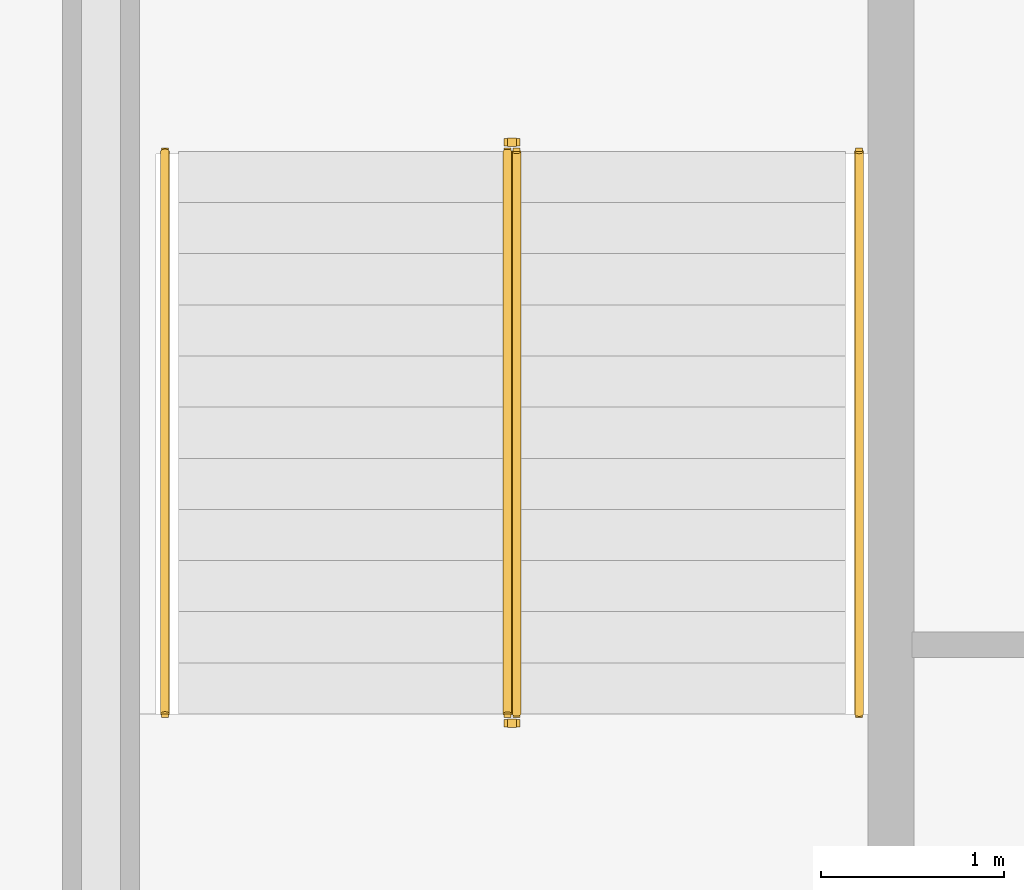
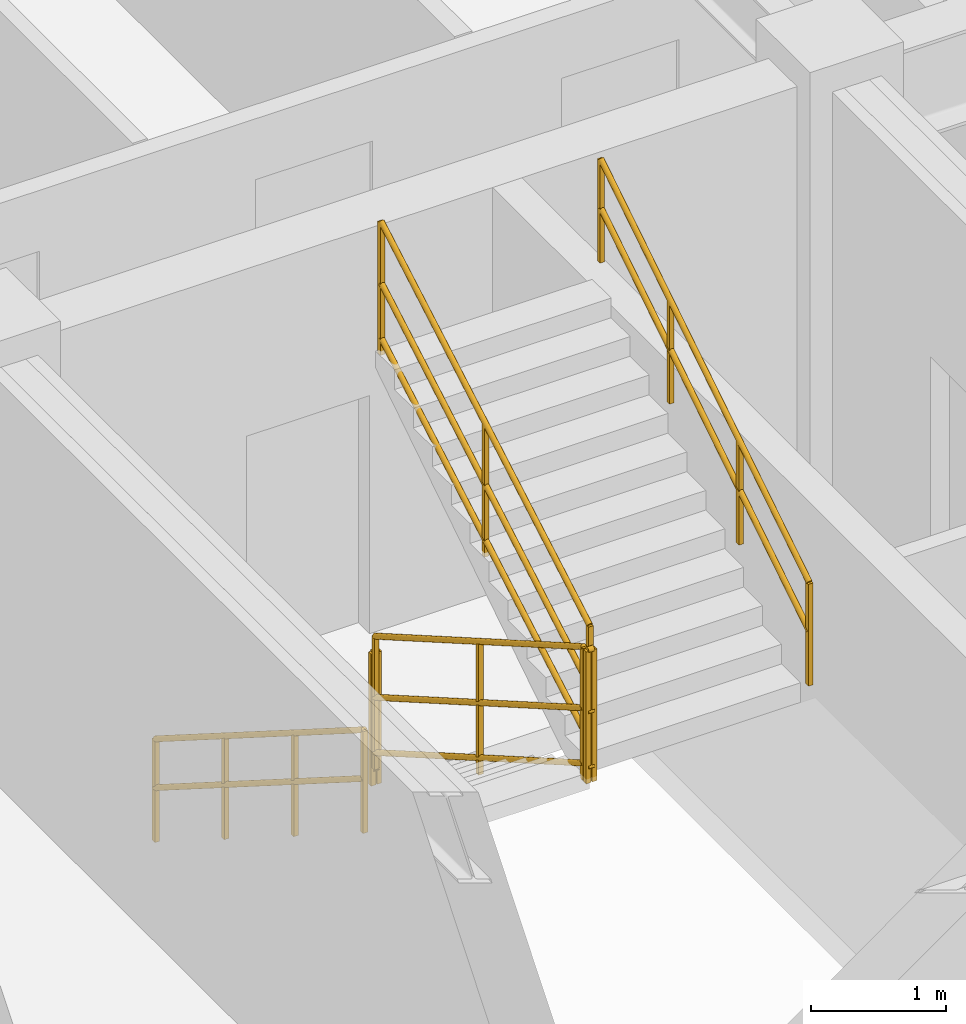
# One storey, part 10 of 10: 6 railings.
"""IFC4 building model written with IfcOpenShell, lengths in metres."""

from ifc_helpers import new_model, entity, si_unit, converted_unit, direction, frame, origin_with_axes, origin_2d_with_axis, place, context, subcontext, project, spatial, rectangle, circle, extrude, material, type_object, element, save


model = new_model("IFC4")

# Units and contexts
model_context = context("Model", 3, precision=1e-05, world=origin_with_axes(), true_north=direction((0.0, 1.0)))
body_context = subcontext(model_context, "Body", "Model", "MODEL_VIEW")
ifc_project = project(units=[si_unit("LENGTHUNIT", "METRE"), si_unit("AREAUNIT", "SQUARE_METRE"), si_unit("VOLUMEUNIT", "CUBIC_METRE"), converted_unit("PLANEANGLEUNIT", "DEGREE", entity("IfcPlaneAngleMeasure", 0.017453292519943295), si_unit("PLANEANGLEUNIT", "RADIAN"), dimensions=[0, 0, 0, 0, 0, 0, 0]), si_unit("MASSUNIT", "GRAM", prefix="KILO"), si_unit("THERMODYNAMICTEMPERATUREUNIT", "KELVIN")], contexts=[model_context])

# Site, building, storey
site_placement = place(None, origin_with_axes())
site = spatial("IfcSite", under=ifc_project, at=site_placement, CompositionType="ELEMENT")
building_placement = place(site_placement, origin_with_axes())
building = spatial("IfcBuilding", under=site, at=building_placement, Name="Varnlund Millrace Tower", CompositionType="ELEMENT")
storey_placement = place(building_placement, frame((0.0, 0.0, 272.4), z_axis=(0.0, 0.0, 1.0), x_axis=(1.0, 0.0, 0.0)))
storey = spatial("IfcBuildingStorey", under=building, at=storey_placement, Name="L67", CompositionType="ELEMENT", Elevation=272.4)

# Railings
ifc_material_1 = material(Name="Painted steel stair well balustrade guard", Category="steel")
railing_type_1 = type_object("IfcRailingType", Name="Type-StairGuard-1150", PredefinedType="GUARDRAIL", material=ifc_material_1)
railing_1_placement = place(storey_placement, frame((0.0, 0.0, -272.4), z_axis=(0.0, 0.0, 1.0), x_axis=(1.0, 0.0, 0.0)))
element("IfcRailing", 1, at=railing_1_placement, inside=storey, type_object=railing_type_1, Name="Type-StairGuard-1150", PredefinedType="GUARDRAIL", context=body_context, shape_type="SweptSolid", body=[
    extrude(circle(Radius=0.024, at=origin_2d_with_axis()), frame((13.625, 35.9, 273.727273), z_axis=(0.0, -0.866696, 0.498836), x_axis=(1.0, 0.0, 0.0)), (0.0, 0.0, 1.0), 3.553725),
    extrude(circle(Radius=0.024, at=origin_2d_with_axis()), frame((13.625, 35.9, 272.677273), z_axis=(0.0, -0.866696, 0.498836), x_axis=(1.0, 0.0, 0.0)), (0.0, 0.0, 1.0), 3.553725),
    extrude(circle(Radius=0.024, at=origin_2d_with_axis()), frame((13.625, 35.9, 273.175273), z_axis=(0.0, -0.866696, 0.498836), x_axis=(1.0, 0.0, 0.0)), (0.0, 0.0, 1.0), 3.553725),
    extrude(rectangle(XDim=0.04, YDim=0.04, at=origin_2d_with_axis()), frame((13.625, 35.9, 272.537273), z_axis=(0.0, 0.0, 1.0), x_axis=(1.0, 0.0, 0.0)), (0.0, 0.0, 1.0), 1.19),
    extrude(rectangle(XDim=0.04, YDim=0.04, at=origin_2d_with_axis()), frame((13.625, 34.36, 273.423636), z_axis=(0.0, 0.0, 1.0), x_axis=(1.0, 0.0, 0.0)), (0.0, 0.0, 1.0), 1.19),
    extrude(rectangle(XDim=0.04, YDim=0.04, at=origin_2d_with_axis()), frame((13.625, 32.82, 274.31), z_axis=(0.0, 0.0, 1.0), x_axis=(1.0, 0.0, 0.0)), (0.0, 0.0, 1.0), 1.19),
])
railing_2_placement = place(storey_placement, frame((0.0, 0.0, -272.4), z_axis=(0.0, 0.0, 1.0), x_axis=(1.0, 0.0, 0.0)))
element("IfcRailing", 2, at=railing_2_placement, inside=storey, type_object=railing_type_1, Name="Type-StairGuard-1150", PredefinedType="GUARDRAIL", context=body_context, shape_type="SweptSolid", body=[
    extrude(circle(Radius=0.024, at=origin_2d_with_axis()), frame((13.675, 32.77, 275.5), z_axis=(-1.0, 0.0, 0.0), x_axis=(0.0, -1.0, 0.0)), (0.0, 0.0, 1.0), 0.05),
    extrude(circle(Radius=0.024, at=origin_2d_with_axis()), frame((13.675, 32.77, 274.45), z_axis=(-1.0, 0.0, 0.0), x_axis=(0.0, -1.0, 0.0)), (0.0, 0.0, 1.0), 0.05),
    extrude(circle(Radius=0.024, at=origin_2d_with_axis()), frame((13.675, 32.77, 274.948), z_axis=(-1.0, 0.0, 0.0), x_axis=(0.0, -1.0, 0.0)), (0.0, 0.0, 1.0), 0.05),
    extrude(rectangle(XDim=0.04, YDim=0.04, at=origin_2d_with_axis()), frame((13.675, 32.77, 274.31), z_axis=(0.0, 0.0, 1.0), x_axis=(1.0, 0.0, 0.0)), (0.0, 0.0, 1.0), 1.19),
    extrude(rectangle(XDim=0.04, YDim=0.04, at=origin_2d_with_axis()), frame((13.625, 32.77, 274.31), z_axis=(0.0, 0.0, 1.0), x_axis=(1.0, 0.0, 0.0)), (0.0, 0.0, 1.0), 1.19),
])
railing_3_placement = place(storey_placement, frame((0.0, 0.0, -272.4), z_axis=(0.0, 0.0, 1.0), x_axis=(1.0, 0.0, 0.0)))
element("IfcRailing", 3, at=railing_3_placement, inside=storey, type_object=railing_type_1, Name="Type-StairGuard-1150", PredefinedType="GUARDRAIL", context=body_context, shape_type="SweptSolid", body=[
    extrude(circle(Radius=0.024, at=origin_2d_with_axis()), frame((13.675, 32.82, 275.677273), z_axis=(0.0, 0.866696, 0.498836), x_axis=(-1.0, 0.0, 0.0)), (0.0, 0.0, 1.0), 3.553725),
    extrude(circle(Radius=0.024, at=origin_2d_with_axis()), frame((13.675, 32.82, 274.627273), z_axis=(0.0, 0.866696, 0.498836), x_axis=(-1.0, 0.0, 0.0)), (0.0, 0.0, 1.0), 3.553725),
    extrude(circle(Radius=0.024, at=origin_2d_with_axis()), frame((13.675, 32.82, 275.125273), z_axis=(0.0, 0.866696, 0.498836), x_axis=(-1.0, 0.0, 0.0)), (0.0, 0.0, 1.0), 3.553725),
    extrude(rectangle(XDim=0.04, YDim=0.04, at=origin_2d_with_axis()), frame((13.675, 32.82, 274.487273), z_axis=(0.0, 0.0, 1.0), x_axis=(1.0, 0.0, 0.0)), (0.0, 0.0, 1.0), 1.19),
    extrude(rectangle(XDim=0.04, YDim=0.04, at=origin_2d_with_axis()), frame((13.675, 34.36, 275.373636), z_axis=(0.0, 0.0, 1.0), x_axis=(1.0, 0.0, 0.0)), (0.0, 0.0, 1.0), 1.19),
    extrude(rectangle(XDim=0.04, YDim=0.04, at=origin_2d_with_axis()), frame((13.675, 35.9, 276.26), z_axis=(0.0, 0.0, 1.0), x_axis=(1.0, 0.0, 0.0)), (0.0, 0.0, 1.0), 1.19),
])
railing_4_placement = place(storey_placement, frame((0.0, 0.0, -272.4), z_axis=(0.0, 0.0, 1.0), x_axis=(1.0, 0.0, 0.0)))
element("IfcRailing", 4, at=railing_4_placement, inside=storey, type_object=railing_type_1, Name="Type-StairGuard-1150", PredefinedType="GUARDRAIL", context=body_context, shape_type="SweptSolid", body=[
    extrude(circle(Radius=0.024, at=origin_2d_with_axis()), frame((13.675, 35.95, 273.55), z_axis=(-1.0, 0.0, 0.0), x_axis=(0.0, -1.0, 0.0)), (0.0, 0.0, 1.0), 0.05),
    extrude(circle(Radius=0.024, at=origin_2d_with_axis()), frame((13.675, 35.95, 272.5), z_axis=(-1.0, 0.0, 0.0), x_axis=(0.0, -1.0, 0.0)), (0.0, 0.0, 1.0), 0.05),
    extrude(circle(Radius=0.024, at=origin_2d_with_axis()), frame((13.675, 35.95, 272.998), z_axis=(-1.0, 0.0, 0.0), x_axis=(0.0, -1.0, 0.0)), (0.0, 0.0, 1.0), 0.05),
    extrude(rectangle(XDim=0.04, YDim=0.04, at=origin_2d_with_axis()), frame((13.675, 35.95, 272.36), z_axis=(0.0, 0.0, 1.0), x_axis=(1.0, 0.0, 0.0)), (0.0, 0.0, 1.0), 1.19),
    extrude(rectangle(XDim=0.04, YDim=0.04, at=origin_2d_with_axis()), frame((13.625, 35.95, 272.36), z_axis=(0.0, 0.0, 1.0), x_axis=(1.0, 0.0, 0.0)), (0.0, 0.0, 1.0), 1.19),
])
ifc_material_2 = material(Name="Brushed architectural bronze stair handrail", Category="aluminium")
railing_type_2 = type_object("IfcRailingType", Name="Type-StairHandrail-900", PredefinedType="HANDRAIL", material=ifc_material_2)
railing_5_placement = place(storey_placement, frame((0.0, 0.0, -272.4), z_axis=(0.0, 0.0, 1.0), x_axis=(1.0, 0.0, 0.0)))
element("IfcRailing", 5, at=railing_5_placement, inside=storey, type_object=railing_type_2, Name="Type-StairHandrail-900", PredefinedType="HANDRAIL", context=body_context, shape_type="SweptSolid", body=[
    extrude(circle(Radius=0.024, at=origin_2d_with_axis()), frame((11.75, 35.9, 273.456995), z_axis=(0.0, -0.844902, 0.534922), x_axis=(1.0, 0.0, 0.0)), (0.0, 0.0, 1.0), 3.645394),
    extrude(circle(Radius=0.024, at=origin_2d_with_axis()), frame((11.75, 35.9, 273.017134), z_axis=(0.0, -0.844902, 0.534922), x_axis=(1.0, 0.0, 0.0)), (0.0, 0.0, 1.0), 3.645394),
    extrude(rectangle(XDim=0.04, YDim=0.04, at=origin_2d_with_axis()), frame((11.75, 35.9, 272.537273), z_axis=(0.0, 0.0, 1.0), x_axis=(1.0, 0.0, 0.0)), (0.0, 0.0, 1.0), 0.919722),
    extrude(rectangle(XDim=0.04, YDim=0.04, at=origin_2d_with_axis()), frame((11.75, 34.873333, 273.187273), z_axis=(0.0, 0.0, 1.0), x_axis=(1.0, 0.0, 0.0)), (0.0, 0.0, 1.0), 0.919722),
    extrude(rectangle(XDim=0.04, YDim=0.04, at=origin_2d_with_axis()), frame((11.75, 33.846667, 273.837273), z_axis=(0.0, 0.0, 1.0), x_axis=(1.0, 0.0, 0.0)), (0.0, 0.0, 1.0), 0.919722),
    extrude(rectangle(XDim=0.04, YDim=0.04, at=origin_2d_with_axis()), frame((11.75, 32.82, 274.487273), z_axis=(0.0, 0.0, 1.0), x_axis=(1.0, 0.0, 0.0)), (0.0, 0.0, 1.0), 0.919722),
])
railing_6_placement = place(storey_placement, frame((0.0, 0.0, -272.4), z_axis=(0.0, 0.0, 1.0), x_axis=(1.0, 0.0, 0.0)))
element("IfcRailing", 6, at=railing_6_placement, inside=storey, type_object=railing_type_2, Name="Type-StairHandrail-900", PredefinedType="HANDRAIL", context=body_context, shape_type="SweptSolid", body=[
    extrude(circle(Radius=0.024, at=origin_2d_with_axis()), frame((15.55, 32.82, 275.406995), z_axis=(0.0, 0.844902, 0.534922), x_axis=(-1.0, 0.0, 0.0)), (0.0, 0.0, 1.0), 3.645394),
    extrude(circle(Radius=0.024, at=origin_2d_with_axis()), frame((15.55, 32.82, 274.967134), z_axis=(0.0, 0.844902, 0.534922), x_axis=(-1.0, 0.0, 0.0)), (0.0, 0.0, 1.0), 3.645394),
    extrude(rectangle(XDim=0.04, YDim=0.04, at=origin_2d_with_axis()), frame((15.55, 32.82, 274.487273), z_axis=(0.0, 0.0, 1.0), x_axis=(1.0, 0.0, 0.0)), (0.0, 0.0, 1.0), 0.919722),
    extrude(rectangle(XDim=0.04, YDim=0.04, at=origin_2d_with_axis()), frame((15.55, 33.846667, 275.137273), z_axis=(0.0, 0.0, 1.0), x_axis=(1.0, 0.0, 0.0)), (0.0, 0.0, 1.0), 0.919722),
    extrude(rectangle(XDim=0.04, YDim=0.04, at=origin_2d_with_axis()), frame((15.55, 34.873333, 275.787273), z_axis=(0.0, 0.0, 1.0), x_axis=(1.0, 0.0, 0.0)), (0.0, 0.0, 1.0), 0.919722),
    extrude(rectangle(XDim=0.04, YDim=0.04, at=origin_2d_with_axis()), frame((15.55, 35.9, 276.437273), z_axis=(0.0, 0.0, 1.0), x_axis=(1.0, 0.0, 0.0)), (0.0, 0.0, 1.0), 0.919722),
])

save(model, "model.ifc")
